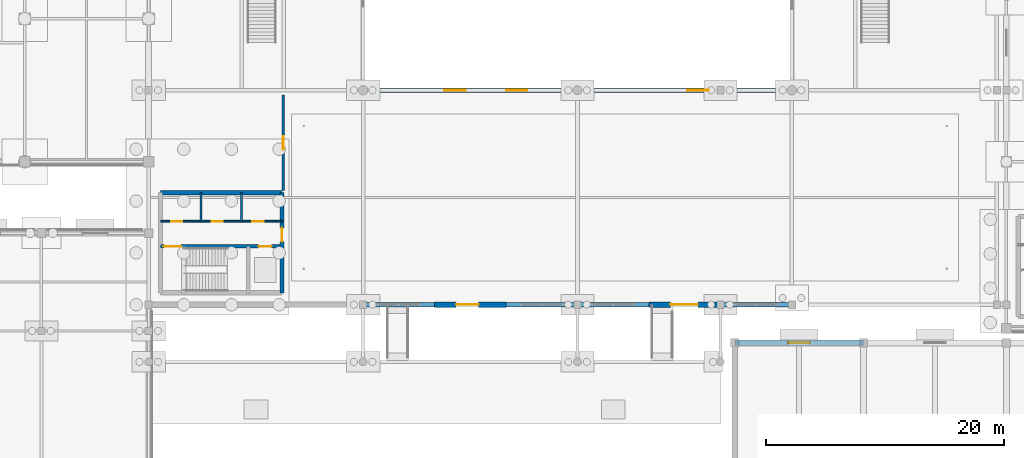
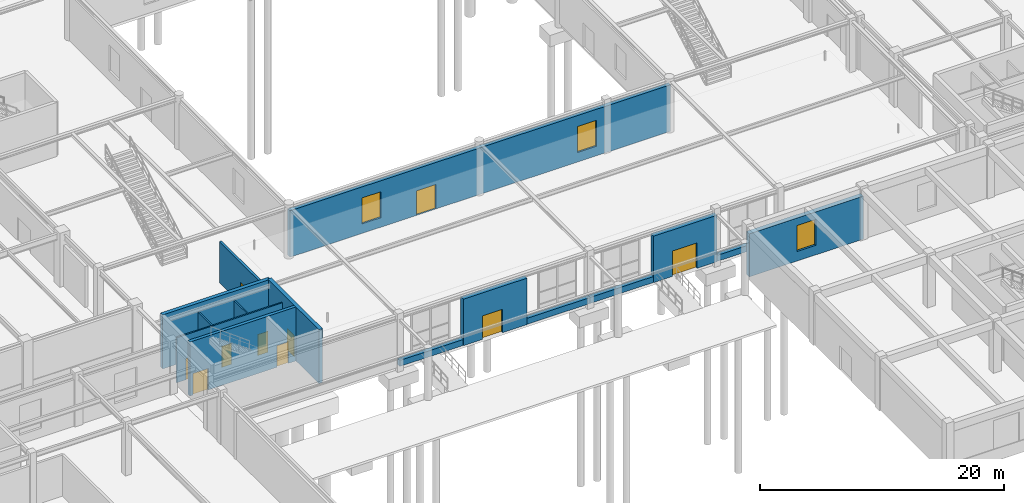
# One storey, part 26 of 53: 15 walls, 10 doors, 3 windows, 13 openings.
"""IFC4 building model written with IfcOpenShell, lengths in metres."""

from ifc_helpers import new_model, si_unit, derived_unit, direction, frame, frame_2d, origin, place, context, subcontext, project, spatial, rectangle, extrude, material, layer, layer_set, type_object, element, fill, save


model = new_model("IFC4")

# Units and contexts
model_context = context("Model", 3, precision=1e-05, world=origin(), true_north=direction((0.0, 1.0)))
body_context = subcontext(model_context, "Body", "Model", "MODEL_VIEW")
ifc_project = project(units=[si_unit("LENGTHUNIT", "METRE"), si_unit("AREAUNIT", "SQUARE_METRE"), si_unit("VOLUMEUNIT", "CUBIC_METRE"), si_unit("PLANEANGLEUNIT", "RADIAN"), si_unit("MASSUNIT", "GRAM", prefix="KILO"), derived_unit("THERMALTRANSMITTANCEUNIT", [(si_unit("POWERUNIT", "WATT"), 1), (si_unit("LENGTHUNIT", "METRE"), -2), (si_unit("THERMODYNAMICTEMPERATUREUNIT", "KELVIN"), -1)])], contexts=[model_context])

# Site, building, storey
site_placement = place(None, origin())
site = spatial("IfcSite", under=ifc_project, at=site_placement, CompositionType="ELEMENT")
building_placement = place(site_placement, origin())
building = spatial("IfcBuilding", under=site, at=building_placement, Name="Almenara Railside Exhibition Hall", CompositionType="ELEMENT")
storey_placement = place(building_placement, origin())
storey = spatial("IfcBuildingStorey", under=building, at=storey_placement, Name="L00", CompositionType="ELEMENT", Elevation=0.0)

# Wall
ifc_material_1 = material(Name="Concrete C35/45", Category="concrete")
ifc_layer_1 = layer(ifc_material_1, 0.35009765625, Name="Concrete C35/45")
ifc_layer_set_1 = layer_set([ifc_layer_1], Name="Concrete C35/45")
wall_type_1 = type_object("IfcWallType", Name="Core Coupled Shear Wall 350mm C35/45", PredefinedType="SHEAR", material=ifc_layer_set_1)
wall_1_placement = place(storey_placement, frame((77.199951171875, 45.39990234375, 0.0), z_axis=(0.0, 0.0, 1.0), x_axis=(-1.0, 0.0, 0.0)))
element("IfcWall", 1, at=wall_1_placement, inside=storey, type_object=wall_type_1, Name="Interior wall 0074", PredefinedType="SHEAR", context=body_context, shape_type="SweptSolid", body=[
    extrude(rectangle(XDim=10.199951171875, YDim=0.35009765625, at=frame_2d((5.10009765625, 0.0))), origin(), (0.0, 0.0, 1.0), 5.39990234375),
])

# Wall, opening, door
wall_2_placement = place(storey_placement, frame((77.199951171875, 37.0, 0.0), z_axis=(0.0, 0.0, 1.0), x_axis=(0.0, 1.0, 0.0)))
wall_2 = element("IfcWall", 2, at=wall_2_placement, inside=storey, type_object=wall_type_1, Name="Interior wall 0076", PredefinedType="SHEAR", context=body_context, shape_type="SweptSolid", body=[
    extrude(rectangle(XDim=8.39990234375, YDim=0.35009765625, at=frame_2d((4.199951171875, 0.0))), origin(), (0.0, 0.0, 1.0), 5.39990234375),
])
opening_1_placement = place(wall_2_placement, frame((4.300048828125, 0.0, 0.0)))
opening_1 = element("IfcOpeningElement", 3, at=opening_1_placement, cuts=wall_2, Name="Opening FD-115", PredefinedType="OPENING", context=body_context, shape_type="SweptSolid", body=[
    extrude(rectangle(XDim=1.14990234375, YDim=2.14990234375, at=frame_2d((0.574951171875, 1.074951171875))), frame((0.0, 0.18505859375, 0.0), z_axis=(0.0, -1.0, 0.0), x_axis=(1.0, 0.0, 0.0)), (0.0, 0.0, 1.0), 0.3701171875),
])
ifc_material_2 = material(Name="Fire-rated iroko timber door", Category="wood")
door_type_1 = type_object("IfcDoorType", Name="Core Lobby Fire Door 1150x2150 EI60", OperationType="NOTDEFINED", PredefinedType="DOOR", material=ifc_material_2)
door_1_placement = place(opening_1_placement, frame((1.14990234375, 0.0, 0.0), z_axis=(0.0, 0.0, 1.0), x_axis=(-1.0, 0.0, 0.0)))
door_1 = element("IfcDoor", 4, at=door_1_placement, inside=storey, type_object=door_type_1, Name="Interior door FD-115-049", OperationType="SINGLE_SWING_LEFT", OverallHeight=2.14990234375, OverallWidth=1.14990234375, PredefinedType="DOOR", context=body_context, shape_type="SweptSolid", body=[
    extrude(rectangle(XDim=1.14990234375, YDim=2.14990234375, at=frame_2d((0.574951171875, 1.074951171875))), frame((0.0, 0.02490234375, 0.0), z_axis=(0.0, -1.0, 0.0), x_axis=(1.0, 0.0, 0.0)), (0.0, 0.0, 1.0), 0.050048828125),
])
fill(opening_1, door_1)

# Walls
ifc_material_3 = material(Name="Ochre-white lime-rendered masonry over Concrete C35/45", Category="masonry")
ifc_layer_2 = layer(ifc_material_3, 0.385009765625, Name="Ochre-white lime-rendered masonry over Concrete C35/45")
ifc_layer_set_2 = layer_set([ifc_layer_2], Name="Ochre-white lime-rendered masonry over Concrete C35/45")
wall_type_2 = type_object("IfcWallType", Name="Exterior Arcade Spandrel Wall 385mm C35/45", PredefinedType="SOLIDWALL", material=ifc_layer_set_2)
for number, where, z_axis, x_axis, name in (
    (5, (84.0, 36.0, 0.0), (0.0, 0.0, 1.0), (1.0, 0.0, 0.0), "Exterior wall 0145"),
    (6, (96.0, 36.0, 0.0), (0.0, 0.0, 1.0), (1.0, 0.0, 0.0), "Exterior wall 0146"),
    (7, (102.0, 36.0, 0.0), (0.0, 0.0, 1.0), (1.0, 0.0, 0.0), "Exterior wall 0151"),
    (8, (114.0, 36.0, 0.0), (0.0, 0.0, 1.0), (1.0, 0.0, 0.0), "Exterior wall 0152"),
):
    element("IfcWall", number, at=place(storey_placement, frame(where, z_axis=z_axis, x_axis=x_axis)), inside=storey, type_object=wall_type_2, Name=name, PredefinedType="SOLIDWALL", context=body_context, shape_type="SweptSolid", body=[
        extrude(rectangle(XDim=6.0, YDim=0.385009765625, at=frame_2d((3.0, 0.0))), origin(), (0.0, 0.0, 1.0), 0.60009765625),
    ])

# Wall, opening, door
ifc_layer_3 = layer(ifc_material_3, 0.449951171875, Name="Ochre-white lime-rendered masonry over Concrete C35/45")
ifc_layer_set_3 = layer_set([ifc_layer_3], Name="Ochre-white lime-rendered masonry over Concrete C35/45")
wall_type_3 = type_object("IfcWallType", Name="Exterior Civic Stucco Wall 450mm C35/45", PredefinedType="SOLIDWALL", material=ifc_layer_set_3)
wall_3_placement = place(storey_placement, frame((90.0, 36.0, 0.0), z_axis=(0.0, 0.0, 1.0), x_axis=(1.0, 0.0, 0.0)))
wall_3 = element("IfcWall", 9, at=wall_3_placement, inside=storey, type_object=wall_type_3, Name="Exterior wall 0144", PredefinedType="SOLIDWALL", context=body_context, shape_type="SweptSolid", body=[
    extrude(rectangle(XDim=6.0, YDim=0.449951171875, at=frame_2d((3.0, 0.0))), origin(), (0.0, 0.0, 1.0), 4.64990234375),
])
opening_2_placement = place(wall_3_placement, frame((1.800048828125, 0.0, 0.0)))
opening_2 = element("IfcOpeningElement", 10, at=opening_2_placement, cuts=wall_3, Name="Opening ED-20", PredefinedType="OPENING", context=body_context, shape_type="SweptSolid", body=[
    extrude(rectangle(XDim=1.89990234375, YDim=2.35009765625, at=frame_2d((0.949951171875, 1.175048828125))), frame((0.0, 0.23486328125, 0.0), z_axis=(0.0, -1.0, 0.0), x_axis=(1.0, 0.0, 0.0)), (0.0, 0.0, 1.0), 0.469970703125),
])
ifc_material_4 = material(Name="Bronze-anodised glazed escape door")
door_type_2 = type_object("IfcDoorType", Name="Congress Double Escape Door 1900x2350", OperationType="NOTDEFINED", PredefinedType="DOOR", material=ifc_material_4)
door_2_placement = place(opening_2_placement, frame((1.89990234375, 0.0, 0.0), z_axis=(0.0, 0.0, 1.0), x_axis=(-1.0, 0.0, 0.0)))
door_2 = element("IfcDoor", 11, at=door_2_placement, inside=storey, type_object=door_type_2, Name="Exterior door ED-20", OperationType="DOUBLE_DOOR_SINGLE_SWING", OverallHeight=2.35009765625, OverallWidth=1.89990234375, PredefinedType="DOOR", context=body_context, shape_type="SweptSolid", body=[
    extrude(rectangle(XDim=1.89990234375, YDim=2.35009765625, at=frame_2d((0.949951171875, 1.175048828125))), frame((0.0, 0.02490234375, 0.0), z_axis=(0.0, -1.0, 0.0), x_axis=(1.0, 0.0, 0.0)), (0.0, 0.0, 1.0), 0.050048828125),
])
fill(opening_2, door_2)

wall_4_placement = place(storey_placement, frame((108.0, 36.0, 0.0), z_axis=(0.0, 0.0, 1.0), x_axis=(1.0, 0.0, 0.0)))
wall_4 = element("IfcWall", 12, at=wall_4_placement, inside=storey, type_object=wall_type_3, Name="Exterior wall 0150", PredefinedType="SOLIDWALL", context=body_context, shape_type="SweptSolid", body=[
    extrude(rectangle(XDim=6.0, YDim=0.449951171875, at=frame_2d((3.0, 0.0))), origin(), (0.0, 0.0, 1.0), 4.64990234375),
])
opening_3_placement = place(wall_4_placement, frame((1.800048828125, 0.0, 0.0)))
opening_3 = element("IfcOpeningElement", 13, at=opening_3_placement, cuts=wall_4, Name="Opening ED-22", PredefinedType="OPENING", context=body_context, shape_type="SweptSolid", body=[
    extrude(rectangle(XDim=2.300048828125, YDim=2.550048828125, at=frame_2d((1.14990234375, 1.27490234375))), frame((0.0, 0.23486328125, 0.0), z_axis=(0.0, -1.0, 0.0), x_axis=(1.0, 0.0, 0.0)), (0.0, 0.0, 1.0), 0.469970703125),
])
ifc_material_5 = material(Name="Bronze-anodised glazed entrance door")
door_type_3 = type_object("IfcDoorType", Name="Hall Gable Double Exit Door 2300x2550", OperationType="NOTDEFINED", PredefinedType="DOOR", material=ifc_material_5)
door_3_placement = place(opening_3_placement, frame((2.300048828125, 0.0, 0.0), z_axis=(0.0, 0.0, 1.0), x_axis=(-1.0, 0.0, 0.0)))
door_3 = element("IfcDoor", 14, at=door_3_placement, inside=storey, type_object=door_type_3, Name="Exterior door ED-22", OperationType="DOUBLE_DOOR_SINGLE_SWING", OverallHeight=2.550048828125, OverallWidth=2.300048828125, PredefinedType="DOOR", context=body_context, shape_type="SweptSolid", body=[
    extrude(rectangle(XDim=2.300048828125, YDim=2.550048828125, at=frame_2d((1.14990234375, 1.27490234375))), frame((0.0, 0.02490234375, 0.0), z_axis=(0.0, -1.0, 0.0), x_axis=(1.0, 0.0, 0.0)), (0.0, 0.0, 1.0), 0.050048828125),
])
fill(opening_3, door_3)

# Wall, opening, window
wall_5_placement = place(storey_placement, frame((126.0, 32.800048828125, 0.0), z_axis=(0.0, 0.0, 1.0), x_axis=(-1.0, 0.0, 0.0)))
wall_5 = element("IfcWall", 15, at=wall_5_placement, inside=storey, type_object=wall_type_3, Name="Exterior wall 0173", PredefinedType="SOLIDWALL", context=body_context, shape_type="SweptSolid", body=[
    extrude(rectangle(XDim=10.800048828125, YDim=0.449951171875, at=frame_2d((5.39990234375, 0.0))), origin(), (0.0, 0.0, 1.0), 4.300048828125),
])
opening_4_placement = place(wall_5_placement, frame((4.5, 0.0, 0.949951171875)))
opening_4 = element("IfcOpeningElement", 16, at=opening_4_placement, cuts=wall_5, Name="Opening W-05", PredefinedType="OPENING", context=body_context, shape_type="SweptSolid", body=[
    extrude(rectangle(XDim=1.800048828125, YDim=2.60009765625, at=frame_2d((0.89990234375, 1.300048828125))), frame((0.0, 0.23486328125, 0.0), z_axis=(0.0, -1.0, 0.0), x_axis=(1.0, 0.0, 0.0)), (0.0, 0.0, 1.0), 0.469970703125),
])
ifc_material_6 = material(Name="Bronze-anodised aluminium and low-E double glazing", Category="aluminium")
window_type = type_object("IfcWindowType", Name="Courtyard Deep-Reveal Window 1800x2600", PartitioningType="DOUBLE_PANEL_VERTICAL", PredefinedType="WINDOW", material=ifc_material_6)
window_1_placement = place(opening_4_placement, origin())
window_1 = element("IfcWindow", 17, at=window_1_placement, inside=storey, type_object=window_type, Name="Window 0042", OverallHeight=2.60009765625, OverallWidth=1.800048828125, PartitioningType="DOUBLE_PANEL_VERTICAL", PredefinedType="WINDOW", context=body_context, shape_type="SweptSolid", body=[
    extrude(rectangle(XDim=1.800048828125, YDim=2.60009765625, at=frame_2d((0.89990234375, 1.300048828125))), frame((0.0, 0.030029296875, 0.0), z_axis=(0.0, -1.0, 0.0), x_axis=(1.0, 0.0, 0.0)), (0.0, 0.0, 1.0), 0.06005859375),
])
fill(opening_4, window_1)

# Wall, openings, door, windows
ifc_layer_4 = layer(ifc_material_3, 0.360107421875, Name="Ochre-white lime-rendered masonry over Concrete C35/45")
ifc_layer_set_4 = layer_set([ifc_layer_4], Name="Ochre-white lime-rendered masonry over Concrete C35/45")
wall_type_4 = type_object("IfcWallType", Name="Exterior Courtyard Galeria Wall 360mm C35/45", PredefinedType="SOLIDWALL", material=ifc_layer_set_4)
wall_6_placement = place(storey_placement, frame((84.0, 54.0, 0.0), z_axis=(0.0, 0.0, 1.0), x_axis=(1.0, 0.0, 0.0)))
wall_6 = element("IfcWall", 18, at=wall_6_placement, inside=storey, type_object=wall_type_4, Name="Exterior wall 0158", PredefinedType="SOLIDWALL", context=body_context, shape_type="SweptSolid", body=[
    extrude(rectangle(XDim=36.0, YDim=0.360107421875, at=frame_2d((18.0, 0.0))), origin(), (0.0, 0.0, 1.0), 4.64990234375),
])
opening_5_placement = place(wall_6_placement, frame((12.0, 0.0, 0.0)))
opening_5 = element("IfcOpeningElement", 19, at=opening_5_placement, cuts=wall_6, Name="Opening CD-01", PredefinedType="OPENING", context=body_context, shape_type="SweptSolid", body=[
    extrude(rectangle(XDim=1.800048828125, YDim=2.449951171875, at=frame_2d((0.89990234375, 1.22509765625))), frame((0.0, 0.18994140625, 0.0), z_axis=(0.0, -1.0, 0.0), x_axis=(1.0, 0.0, 0.0)), (0.0, 0.0, 1.0), 0.380126953125),
])
opening_6_placement = place(wall_6_placement, frame((6.800048828125, 0.0, 0.949951171875)))
opening_6 = element("IfcOpeningElement", 20, at=opening_6_placement, cuts=wall_6, Name="Opening W-05", PredefinedType="OPENING", context=body_context, shape_type="SweptSolid", body=[
    extrude(rectangle(XDim=1.800048828125, YDim=2.60009765625, at=frame_2d((0.89990234375, 1.300048828125))), frame((0.0, 0.18994140625, 0.0), z_axis=(0.0, -1.0, 0.0), x_axis=(1.0, 0.0, 0.0)), (0.0, 0.0, 1.0), 0.380126953125),
])
opening_7_placement = place(wall_6_placement, frame((27.199951171875, 0.0, 0.949951171875)))
opening_7 = element("IfcOpeningElement", 21, at=opening_7_placement, cuts=wall_6, Name="Opening W-05", PredefinedType="OPENING", context=body_context, shape_type="SweptSolid", body=[
    extrude(rectangle(XDim=1.800048828125, YDim=2.60009765625, at=frame_2d((0.89990234375, 1.300048828125))), frame((0.0, 0.18994140625, 0.0), z_axis=(0.0, -1.0, 0.0), x_axis=(1.0, 0.0, 0.0)), (0.0, 0.0, 1.0), 0.380126953125),
])
ifc_material_7 = material(Name="Bronze-anodised glazed courtyard door")
door_type_4 = type_object("IfcDoorType", Name="Courtyard Arcade Double Door 1800x2450", OperationType="NOTDEFINED", PredefinedType="DOOR", material=ifc_material_7)
door_4_placement = place(opening_5_placement, origin())
door_4 = element("IfcDoor", 22, at=door_4_placement, inside=storey, type_object=door_type_4, Name="Exterior door CD-01", OperationType="DOUBLE_DOOR_SINGLE_SWING", OverallHeight=2.449951171875, OverallWidth=1.800048828125, PredefinedType="DOOR", context=body_context, shape_type="SweptSolid", body=[
    extrude(rectangle(XDim=1.800048828125, YDim=2.449951171875, at=frame_2d((0.89990234375, 1.22509765625))), frame((0.0, 0.02490234375, 0.0), z_axis=(0.0, -1.0, 0.0), x_axis=(1.0, 0.0, 0.0)), (0.0, 0.0, 1.0), 0.050048828125),
])
fill(opening_5, door_4)
window_2_placement = place(opening_6_placement, origin())
window_2 = element("IfcWindow", 23, at=window_2_placement, inside=storey, type_object=window_type, Name="Window 0033", OverallHeight=2.60009765625, OverallWidth=1.800048828125, PartitioningType="DOUBLE_PANEL_VERTICAL", PredefinedType="WINDOW", context=body_context, shape_type="SweptSolid", body=[
    extrude(rectangle(XDim=1.800048828125, YDim=2.60009765625, at=frame_2d((0.89990234375, 1.300048828125))), frame((0.0, 0.030029296875, 0.0), z_axis=(0.0, -1.0, 0.0), x_axis=(1.0, 0.0, 0.0)), (0.0, 0.0, 1.0), 0.06005859375),
])
fill(opening_6, window_2)
window_3_placement = place(opening_7_placement, origin())
window_3 = element("IfcWindow", 24, at=window_3_placement, inside=storey, type_object=window_type, Name="Window 0034", OverallHeight=2.60009765625, OverallWidth=1.800048828125, PartitioningType="DOUBLE_PANEL_VERTICAL", PredefinedType="WINDOW", context=body_context, shape_type="SweptSolid", body=[
    extrude(rectangle(XDim=1.800048828125, YDim=2.60009765625, at=frame_2d((0.89990234375, 1.300048828125))), frame((0.0, 0.030029296875, 0.0), z_axis=(0.0, -1.0, 0.0), x_axis=(1.0, 0.0, 0.0)), (0.0, 0.0, 1.0), 0.06005859375),
])
fill(opening_7, window_3)

# Wall, opening, door
ifc_material_8 = material(Name="Insulated masonry over Concrete C35/45", Category="masonry")
ifc_layer_5 = layer(ifc_material_8, 0.219970703125, Name="Insulated masonry over Concrete C35/45")
ifc_layer_set_5 = layer_set([ifc_layer_5], Name="Insulated masonry over Concrete C35/45")
wall_type_5 = type_object("IfcWallType", Name="Occupancy Separating Fire Wall 220mm", PredefinedType="SOLIDWALL", material=ifc_layer_set_5)
wall_7_placement = place(storey_placement, frame((77.300048828125, 45.60009765625, 0.0), z_axis=(0.0, 0.0, 1.0), x_axis=(0.0, 1.0, 0.0)))
wall_7 = element("IfcWall", 25, at=wall_7_placement, inside=storey, type_object=wall_type_5, Name="Interior wall 0364", PredefinedType="SOLIDWALL", context=body_context, shape_type="SweptSolid", body=[
    extrude(rectangle(XDim=8.0, YDim=0.219970703125, at=frame_2d((4.0, 0.0))), origin(), (0.0, 0.0, 1.0), 4.10009765625),
])
opening_8_placement = place(wall_7_placement, frame((3.39990234375, 0.0, 0.0)))
opening_8 = element("IfcOpeningElement", 26, at=opening_8_placement, cuts=wall_7, Name="Opening FD-115", PredefinedType="OPENING", context=body_context, shape_type="SweptSolid", body=[
    extrude(rectangle(XDim=1.14990234375, YDim=2.14990234375, at=frame_2d((0.574951171875, 1.074951171875))), frame((0.0, 0.119873046875, 0.0), z_axis=(0.0, -1.0, 0.0), x_axis=(1.0, 0.0, 0.0)), (0.0, 0.0, 1.0), 0.239990234375),
])
door_5_placement = place(opening_8_placement, origin())
door_5 = element("IfcDoor", 27, at=door_5_placement, inside=storey, type_object=door_type_1, Name="Interior door FD-115-219", OperationType="SINGLE_SWING_LEFT", OverallHeight=2.14990234375, OverallWidth=1.14990234375, PredefinedType="DOOR", context=body_context, shape_type="SweptSolid", body=[
    extrude(rectangle(XDim=1.14990234375, YDim=2.14990234375, at=frame_2d((0.574951171875, 1.074951171875))), frame((0.0, 0.02490234375, 0.0), z_axis=(0.0, -1.0, 0.0), x_axis=(1.0, 0.0, 0.0)), (0.0, 0.0, 1.0), 0.050048828125),
])
fill(opening_8, door_5)

# Wall, openings, doors
ifc_material_9 = material(Name="Moisture-resistant tiled masonry partition", Category="masonry")
ifc_layer_6 = layer(ifc_material_9, 0.139892578125, Name="Moisture-resistant tiled masonry partition")
ifc_layer_set_6 = layer_set([ifc_layer_6], Name="Moisture-resistant tiled masonry partition")
wall_type_6 = type_object("IfcWallType", Name="Sanitary Wet-Wall Partition 140mm", PredefinedType="PARTITIONING", material=ifc_layer_set_6)
wall_8_placement = place(storey_placement, frame((67.0, 43.0, 0.0), z_axis=(0.0, 0.0, 1.0), x_axis=(1.0, 0.0, 0.0)))
wall_8 = element("IfcWall", 28, at=wall_8_placement, inside=storey, type_object=wall_type_6, Name="Interior wall 0079", PredefinedType="PARTITIONING", context=body_context, shape_type="SweptSolid", body=[
    extrude(rectangle(XDim=10.199951171875, YDim=0.139892578125, at=frame_2d((5.10009765625, 0.0))), origin(), (0.0, 0.0, 1.0), 4.5),
])
opening_9_placement = place(wall_8_placement, frame((0.89990234375, 0.0, 0.0)))
opening_9 = element("IfcOpeningElement", 29, at=opening_9_placement, cuts=wall_8, Name="Opening ID-09", PredefinedType="OPENING", context=body_context, shape_type="SweptSolid", body=[
    extrude(rectangle(XDim=0.89990234375, YDim=2.10009765625, at=frame_2d((0.449951171875, 1.050048828125))), frame((0.0, 0.079833984375, 0.0), z_axis=(0.0, -1.0, 0.0), x_axis=(1.0, 0.0, 0.0)), (0.0, 0.0, 1.0), 0.159912109375),
])
opening_10_placement = place(wall_8_placement, frame((4.300048828125, 0.0, 0.0)))
opening_10 = element("IfcOpeningElement", 30, at=opening_10_placement, cuts=wall_8, Name="Opening ID-09", PredefinedType="OPENING", context=body_context, shape_type="SweptSolid", body=[
    extrude(rectangle(XDim=0.89990234375, YDim=2.10009765625, at=frame_2d((0.449951171875, 1.050048828125))), frame((0.0, 0.079833984375, 0.0), z_axis=(0.0, -1.0, 0.0), x_axis=(1.0, 0.0, 0.0)), (0.0, 0.0, 1.0), 0.159912109375),
])
opening_11_placement = place(wall_8_placement, frame((7.699951171875, 0.0, 0.0)))
opening_11 = element("IfcOpeningElement", 31, at=opening_11_placement, cuts=wall_8, Name="Opening ID-095", PredefinedType="OPENING", context=body_context, shape_type="SweptSolid", body=[
    extrude(rectangle(XDim=0.949951171875, YDim=2.10009765625, at=frame_2d((0.47509765625, 1.050048828125))), frame((0.0, 0.079833984375, 0.0), z_axis=(0.0, -1.0, 0.0), x_axis=(1.0, 0.0, 0.0)), (0.0, 0.0, 1.0), 0.159912109375),
])
ifc_material_10 = material(Name="Moisture-resistant hardwood door", Category="wood")
door_type_5 = type_object("IfcDoorType", Name="Accessible Toilet Door 950x2100", OperationType="NOTDEFINED", PredefinedType="DOOR", material=ifc_material_10)
door_6_placement = place(opening_11_placement, origin())
door_6 = element("IfcDoor", 32, at=door_6_placement, inside=storey, type_object=door_type_5, Name="Interior door ID-095-054", OperationType="SINGLE_SWING_RIGHT", OverallHeight=2.10009765625, OverallWidth=0.949951171875, PredefinedType="DOOR", context=body_context, shape_type="SweptSolid", body=[
    extrude(rectangle(XDim=0.949951171875, YDim=2.10009765625, at=frame_2d((0.47509765625, 1.050048828125))), frame((0.0, 0.02490234375, 0.0), z_axis=(0.0, -1.0, 0.0), x_axis=(1.0, 0.0, 0.0)), (0.0, 0.0, 1.0), 0.050048828125),
])
fill(opening_11, door_6)
door_type_6 = type_object("IfcDoorType", Name="Sanitary Lobby Single Door 900x2100", OperationType="NOTDEFINED", PredefinedType="DOOR", material=ifc_material_10)
door_7_placement = place(opening_9_placement, origin())
door_7 = element("IfcDoor", 33, at=door_7_placement, inside=storey, type_object=door_type_6, Name="Interior door ID-09-052", OperationType="SINGLE_SWING_RIGHT", OverallHeight=2.10009765625, OverallWidth=0.89990234375, PredefinedType="DOOR", context=body_context, shape_type="SweptSolid", body=[
    extrude(rectangle(XDim=0.89990234375, YDim=2.10009765625, at=frame_2d((0.449951171875, 1.050048828125))), frame((0.0, 0.02490234375, 0.0), z_axis=(0.0, -1.0, 0.0), x_axis=(1.0, 0.0, 0.0)), (0.0, 0.0, 1.0), 0.050048828125),
])
fill(opening_9, door_7)
door_8_placement = place(opening_10_placement, origin())
door_8 = element("IfcDoor", 34, at=door_8_placement, inside=storey, type_object=door_type_6, Name="Interior door ID-09-053", OperationType="SINGLE_SWING_LEFT", OverallHeight=2.10009765625, OverallWidth=0.89990234375, PredefinedType="DOOR", context=body_context, shape_type="SweptSolid", body=[
    extrude(rectangle(XDim=0.89990234375, YDim=2.10009765625, at=frame_2d((0.449951171875, 1.050048828125))), frame((0.0, 0.02490234375, 0.0), z_axis=(0.0, -1.0, 0.0), x_axis=(1.0, 0.0, 0.0)), (0.0, 0.0, 1.0), 0.050048828125),
])
fill(opening_10, door_8)

# Walls
for number, where, z_axis, x_axis, name in (
    (35, (70.39990234375, 43.0, 0.0), (0.0, 0.0, 1.0), (0.0, 1.0, 0.0), "Interior wall 0080"),
    (36, (73.800048828125, 43.0, 0.0), (0.0, 0.0, 1.0), (0.0, 1.0, 0.0), "Interior wall 0081"),
):
    element("IfcWall", number, at=place(storey_placement, frame(where, z_axis=z_axis, x_axis=x_axis)), inside=storey, type_object=wall_type_6, Name=name, PredefinedType="PARTITIONING", context=body_context, shape_type="SweptSolid", body=[
        extrude(rectangle(XDim=2.39990234375, YDim=0.139892578125, at=frame_2d((1.199951171875, 0.0))), origin(), (0.0, 0.0, 1.0), 4.5),
    ])

# Wall, openings, doors
ifc_layer_7 = layer(ifc_material_1, 0.300048828125, Name="Concrete C35/45")
ifc_layer_set_7 = layer_set([ifc_layer_7], Name="Concrete C35/45")
wall_type_7 = type_object("IfcWallType", Name="Stair and Lift Shaft Wall 300mm C35/45", PredefinedType="SHEAR", material=ifc_layer_set_7)
wall_9_placement = place(storey_placement, frame((67.0, 40.89990234375, 0.0), z_axis=(0.0, 0.0, 1.0), x_axis=(1.0, 0.0, 0.0)))
wall_9 = element("IfcWall", 37, at=wall_9_placement, inside=storey, type_object=wall_type_7, Name="Interior wall 0077", PredefinedType="SHEAR", context=body_context, shape_type="SweptSolid", body=[
    extrude(rectangle(XDim=10.199951171875, YDim=0.300048828125, at=frame_2d((5.10009765625, 0.0))), origin(), (0.0, 0.0, 1.0), 5.39990234375),
])
opening_12_placement = place(wall_9_placement, frame((0.280029296875, 0.0, 0.0)))
opening_12 = element("IfcOpeningElement", 38, at=opening_12_placement, cuts=wall_9, Name="Opening FD-145", PredefinedType="OPENING", context=body_context, shape_type="SweptSolid", body=[
    extrude(rectangle(XDim=1.449951171875, YDim=2.14990234375, at=frame_2d((0.72509765625, 1.074951171875))), frame((0.0, 0.159912109375, 0.0), z_axis=(0.0, -1.0, 0.0), x_axis=(1.0, 0.0, 0.0)), (0.0, 0.0, 1.0), 0.320068359375),
])
opening_13_placement = place(wall_9_placement, frame((8.22509765625, 0.0, 0.0)))
opening_13 = element("IfcOpeningElement", 39, at=opening_13_placement, cuts=wall_9, Name="Opening LD-11-C4", PredefinedType="OPENING", context=body_context, shape_type="SweptSolid", body=[
    extrude(rectangle(XDim=1.10009765625, YDim=2.14990234375, at=frame_2d((0.550048828125, 1.074951171875))), frame((0.0, 0.159912109375, 0.0), z_axis=(0.0, -1.0, 0.0), x_axis=(1.0, 0.0, 0.0)), (0.0, 0.0, 1.0), 0.320068359375),
])
ifc_material_11 = material(Name="Steel-framed fire-rated timber door", Category="steel")
door_type_7 = type_object("IfcDoorType", Name="Fire Escape Stair Door 1450x2150 EI60", OperationType="NOTDEFINED", PredefinedType="DOOR", material=ifc_material_11)
door_9_placement = place(opening_12_placement, origin())
door_9 = element("IfcDoor", 40, at=door_9_placement, inside=storey, type_object=door_type_7, Name="Interior door FD-145-050", OperationType="DOUBLE_DOOR_SINGLE_SWING", OverallHeight=2.14990234375, OverallWidth=1.449951171875, PredefinedType="DOOR", context=body_context, shape_type="SweptSolid", body=[
    extrude(rectangle(XDim=1.449951171875, YDim=2.14990234375, at=frame_2d((0.72509765625, 1.074951171875))), frame((0.0, 0.02490234375, 0.0), z_axis=(0.0, -1.0, 0.0), x_axis=(1.0, 0.0, 0.0)), (0.0, 0.0, 1.0), 0.050048828125),
])
fill(opening_12, door_9)
ifc_material_12 = material(Name="Brushed bronze-stainless steel sliding landing door", Category="steel")
door_type_8 = type_object("IfcDoorType", Name="Passenger Lift Sliding Landing Door 1100x2150", OperationType="DOUBLE_DOOR_SLIDING", PredefinedType="DOOR", material=ifc_material_12)
door_10_placement = place(opening_13_placement, origin())
door_10 = element("IfcDoor", 41, at=door_10_placement, inside=storey, type_object=door_type_8, Name="Interior door LD-11-C4-051", OperationType="DOUBLE_DOOR_SLIDING", OverallHeight=2.14990234375, OverallWidth=1.10009765625, PredefinedType="DOOR", context=body_context, shape_type="SweptSolid", body=[
    extrude(rectangle(XDim=1.10009765625, YDim=2.14990234375, at=frame_2d((0.550048828125, 1.074951171875))), frame((0.0, 0.02490234375, 0.0), z_axis=(0.0, -1.0, 0.0), x_axis=(1.0, 0.0, 0.0)), (0.0, 0.0, 1.0), 0.050048828125),
])
fill(opening_13, door_10)

save(model, "model.ifc")
